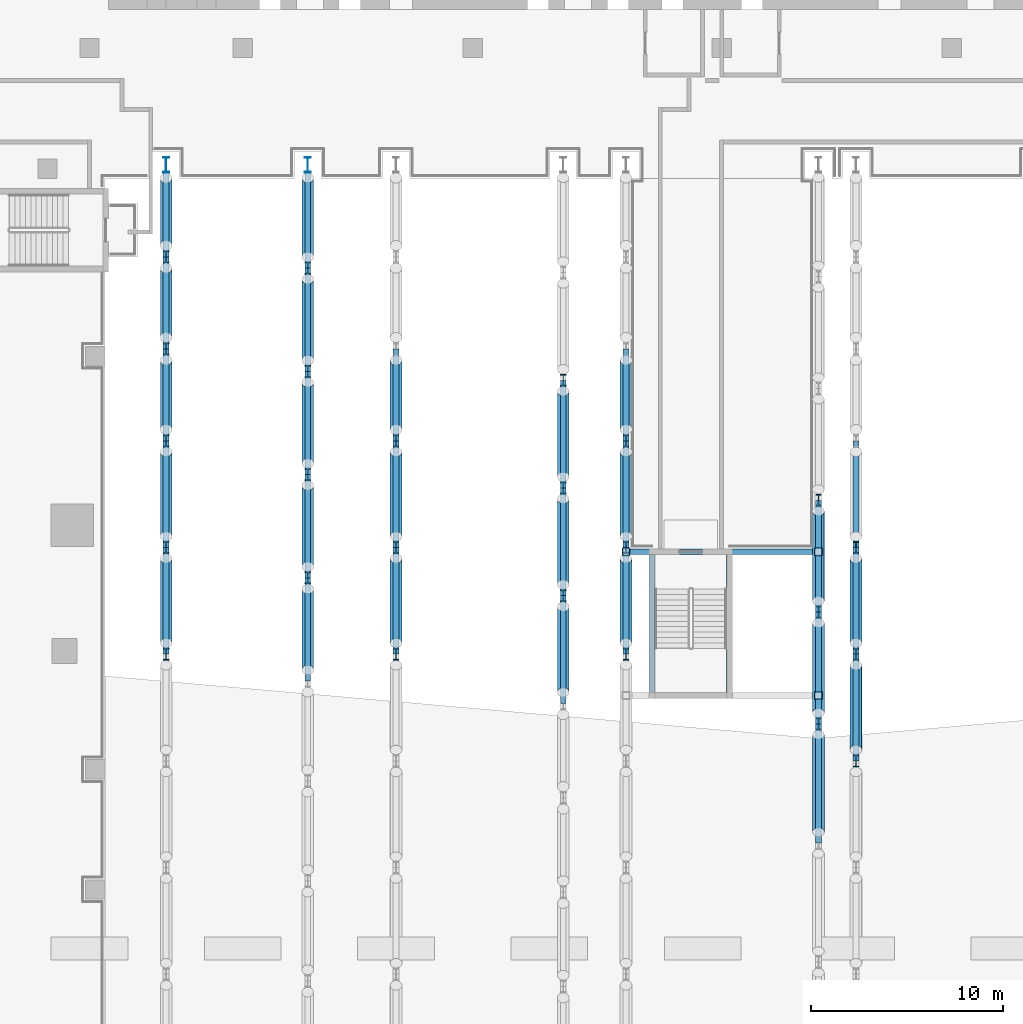
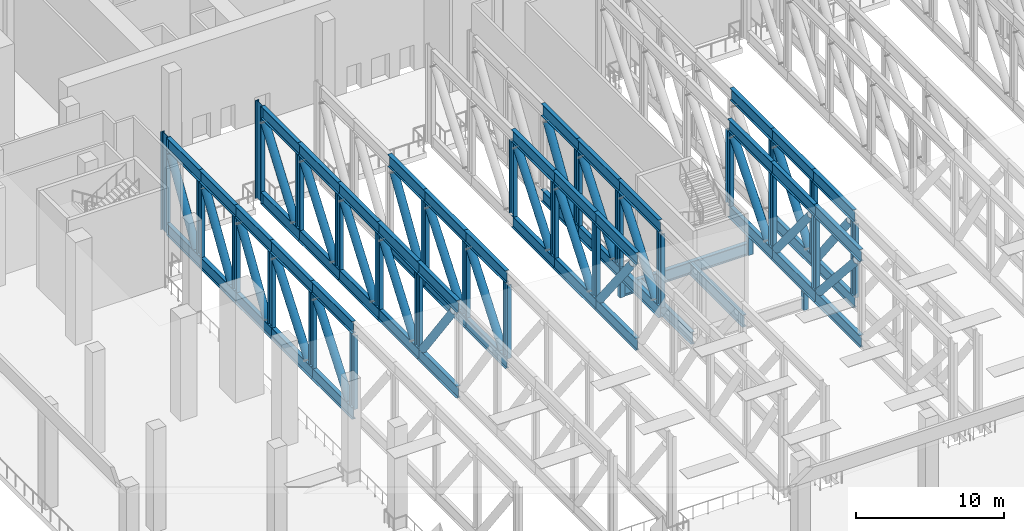
# One storey, part 3 of 33: 102 members, 3 beams.
"""IFC4 building model written with IfcOpenShell, lengths in metres."""

import ifcopenshell
import ifcopenshell.guid

model = None  # the IFC model being written
_history = None  # IfcOwnerHistory: only IFC2X3 demands one
_inside = {}  # id of a spatial element -> (the spatial element, [elements in it])
_under = {}  # id of a project, library or spatial element -> (it, [spatial elements below it])
_declared = {}  # id of a project -> (the project, [libraries it declares])
_typed = {}  # id of a type object -> (the type object, [elements of that type])
_made_of = {}  # id of a material, layer set ... -> (it, [elements and type objects made of it])


def new_model(schema):
    """Start an empty IFC model of exactly this schema.

    Asked for "IFC4X3", IfcOpenShell would pick the latest addendum, in which some entities
    have other attributes; the version numbers below select the first issue.
    IFC2X3 requires an IfcOwnerHistory on every rooted entity: one is made here for all.
    """
    global model, _history
    if schema == "IFC4X3":
        model = ifcopenshell.file(schema_version=(4, 3, 0, 0))
    else:
        model = ifcopenshell.file(schema=schema)
    _inside.clear()
    _under.clear()
    _declared.clear()
    _typed.clear()
    _made_of.clear()
    _history = None
    if model.schema == "IFC2X3":
        org = make("IfcOrganization", Name="unknown")
        user = make(
            "IfcPersonAndOrganization",
            ThePerson=make("IfcPerson", FamilyName="unknown"),
            TheOrganization=org,
        )
        app = make(
            "IfcApplication",
            ApplicationDeveloper=org,
            Version="unknown",
            ApplicationFullName="unknown",
            ApplicationIdentifier="unknown",
        )
        _history = make(
            "IfcOwnerHistory",
            OwningUser=user,
            OwningApplication=app,
            ChangeAction="ADDED",
            CreationDate=0,
        )
    return model


def make(cls, **values):
    """One entity of the class cls with the attributes given. An attribute that is None is left unset."""
    return model.create_entity(
        cls, **{name: value for name, value in values.items() if value is not None}
    )


def rooted(cls, **values):
    """An entity with a GlobalId (a new one), such as an element, a storey or a relation."""
    return make(cls, GlobalId=ifcopenshell.guid.new(), OwnerHistory=_history, **values)


def si_unit(unit_type, name, prefix=None):
    """IfcSIUnit, for example si_unit("LENGTHUNIT", "METRE", prefix="MILLI")."""
    return make("IfcSIUnit", UnitType=unit_type, Prefix=prefix, Name=name)


def assignment(units):
    """IfcUnitAssignment: the units of a project."""
    return None if units is None else make("IfcUnitAssignment", Units=units)


def point(xyz):
    """IfcCartesianPoint."""
    return None if xyz is None else make("IfcCartesianPoint", Coordinates=xyz)


def direction(xyz):
    """IfcDirection."""
    return None if xyz is None else make("IfcDirection", DirectionRatios=xyz)


def frame(location, z_axis=None, x_axis=None):
    """IfcAxis2Placement3D, a coordinate frame: its origin and axes. An axis left out is left unset."""
    return make(
        "IfcAxis2Placement3D",
        Location=point(location),
        Axis=direction(z_axis),
        RefDirection=direction(x_axis),
    )


def frame_2d(location, x_axis=None):
    """IfcAxis2Placement2D, a coordinate frame in the plane: its origin and x axis."""
    return make(
        "IfcAxis2Placement2D", Location=point(location), RefDirection=direction(x_axis)
    )


def origin():
    """The frame at (0, 0, 0) with its axes left unset."""
    return frame((0.0, 0.0, 0.0))


def origin_2d():
    """The frame at (0, 0) in the plane with its x axis left unset."""
    return frame_2d((0.0, 0.0))


def place(relative_to, where):
    """IfcLocalPlacement: puts the frame where relative to a parent placement (None: the world)."""
    return make(
        "IfcLocalPlacement", PlacementRelTo=relative_to, RelativePlacement=where
    )


def context(
    kind, dimensions, precision=None, world=None, true_north=None, identifier=None
):
    """IfcGeometricRepresentationContext, for example the 3D "Model" context."""
    return make(
        "IfcGeometricRepresentationContext",
        ContextIdentifier=identifier,
        ContextType=kind,
        CoordinateSpaceDimension=dimensions,
        Precision=precision,
        WorldCoordinateSystem=world,
        TrueNorth=true_north,
    )


def subcontext(parent, identifier, kind, view, scale=None):
    """IfcGeometricRepresentationSubContext, for example "Body" below "Model"."""
    return make(
        "IfcGeometricRepresentationSubContext",
        ContextIdentifier=identifier,
        ContextType=kind,
        ParentContext=parent,
        TargetScale=scale,
        TargetView=view,
    )


def project(units=None, contexts=None):
    """IfcProject with its units and contexts."""
    return rooted(
        "IfcProject",
        Name="project",
        RepresentationContexts=contexts,
        UnitsInContext=assignment(units),
    )


def spatial(cls, under=None, at=None, **own):
    """A site, building, storey or space (cls), placed at a placement, below another one or the project."""
    s = rooted(cls, ObjectPlacement=at, **own)
    if under is not None:
        _under.setdefault(under.id(), (under, []))[1].append(s)
    return s


def profile(cls, at=None, kind="AREA", **sizes):
    """A parametric profile (cls). Its sizes go by their IFC names, for example OverallWidth=200.0."""
    return make(cls, ProfileType=kind, Position=at, **sizes)


def hollow_rectangle(**sizes):
    """IfcRectangleHollowProfileDef."""
    return profile("IfcRectangleHollowProfileDef", **sizes)


def hollow_circle(**sizes):
    """IfcCircleHollowProfileDef."""
    return profile("IfcCircleHollowProfileDef", **sizes)


def i_section(**sizes):
    """IfcIShapeProfileDef."""
    return profile("IfcIShapeProfileDef", **sizes)


def extrude(swept, where, along, depth):
    """IfcExtrudedAreaSolid: the profile swept, set in the frame where, extruded along a direction by depth."""
    return make(
        "IfcExtrudedAreaSolid",
        SweptArea=swept,
        Position=where,
        ExtrudedDirection=direction(along),
        Depth=depth,
    )


def shape(context_of_items, identifier, shape_type, items):
    """IfcShapeRepresentation: the items that make up one representation, for example the "Body"."""
    return make(
        "IfcShapeRepresentation",
        ContextOfItems=context_of_items,
        RepresentationIdentifier=identifier,
        RepresentationType=shape_type,
        Items=items,
    )


def material(Name=None, Category=None):
    """IfcMaterial."""
    return make("IfcMaterial", Name=Name, Category=Category)


def material_profile(
    of_material, cross_section, Name=None, Category=None, Priority=None
):
    """IfcMaterialProfile: a cross section and its material."""
    return make(
        "IfcMaterialProfile",
        Name=Name,
        Material=of_material,
        Profile=cross_section,
        Priority=Priority,
        Category=Category,
    )


def profile_set(profiles, Name=None, composite=None):
    """IfcMaterialProfileSet."""
    return make(
        "IfcMaterialProfileSet",
        Name=Name,
        MaterialProfiles=profiles,
        CompositeProfile=composite,
    )


def made_of(thing, what):
    """Note that an element or type object is made of a material, layer set ...; save() writes the relation."""
    if what is not None:
        _made_of.setdefault(what.id(), (what, []))[1].append(thing)
    return thing


def type_object(cls, material=None, **own):
    """A type object (cls), such as IfcWallType, which elements share."""
    return made_of(rooted(cls, **own), material)


def element(
    cls,
    number,
    at=None,
    inside=None,
    cuts=None,
    type_object=None,
    material=None,
    context=None,
    identifier="Body",
    shape_type=None,
    held_by="IfcProductDefinitionShape",
    body=None,
    shapes=None,
    **own,
):
    """One element of the class cls, such as IfcWall. Its Tag is "e" and its number.

    at: its placement. inside: the storey or other place that contains it. cuts: it is an
    opening in that element (IfcRelVoidsElement). A single representation is given by context,
    identifier, shape_type and body (its items); several are given by shapes. held_by: the class
    of the entity that holds the representations. save() writes the other relations.
    """
    e = rooted(cls, Tag="e%d" % number, ObjectPlacement=at, **own)
    if body is not None:
        shapes = [shape(context, identifier, shape_type, body)]
    if shapes is not None:
        e.Representation = make(held_by, Representations=shapes)
    if inside is not None:
        _inside.setdefault(inside.id(), (inside, []))[1].append(e)
    if cuts is not None:
        rooted(
            "IfcRelVoidsElement", RelatingBuildingElement=cuts, RelatedOpeningElement=e
        )
    if type_object is not None:
        _typed.setdefault(type_object.id(), (type_object, []))[1].append(e)
    return made_of(e, material)


def aggregate(whole, parts):
    """IfcRelAggregates: a whole, such as a stair, and the parts it consists of."""
    return rooted("IfcRelAggregates", RelatingObject=whole, RelatedObjects=parts)


def save(model, path):
    """Write the relations noted so far, then the file.

    IfcRelAggregates (storeys below a building ...), IfcRelContainedInSpatialStructure (elements
    in a storey), IfcRelDefinesByType, IfcRelAssociatesMaterial and IfcRelDeclares: one each for
    every whole, place, type object, material and project.
    """
    for whole, parts in _under.values():
        aggregate(whole, parts)
    for where, things in _inside.values():
        rooted(
            "IfcRelContainedInSpatialStructure",
            RelatedElements=things,
            RelatingStructure=where,
        )
    for kind, things in _typed.values():
        rooted("IfcRelDefinesByType", RelatedObjects=things, RelatingType=kind)
    for what, things in _made_of.values():
        rooted("IfcRelAssociatesMaterial", RelatedObjects=things, RelatingMaterial=what)
    for by, libraries in _declared.values():
        rooted("IfcRelDeclares", RelatingContext=by, RelatedDefinitions=libraries)
    model.write(path)


model = new_model("IFC4")

# Units and contexts
model_context = context("Model", 3, precision=1e-05, world=origin(), true_north=direction((0.0, 1.0)))
body_context = subcontext(model_context, "Body", "Model", "MODEL_VIEW")
ifc_project = project(units=[si_unit("LENGTHUNIT", "METRE"), si_unit("AREAUNIT", "SQUARE_METRE"), si_unit("VOLUMEUNIT", "CUBIC_METRE"), si_unit("PLANEANGLEUNIT", "RADIAN"), si_unit("MASSUNIT", "GRAM", prefix="KILO")], contexts=[model_context])

# Site, building, storey
site_placement = place(None, origin())
site = spatial("IfcSite", under=ifc_project, at=site_placement, CompositionType="ELEMENT")
building_placement = place(site_placement, origin())
building = spatial("IfcBuilding", under=site, at=building_placement, Name="Wharfspan Tower", CompositionType="ELEMENT")
storey_placement = place(building_placement, frame((0.0, 0.0, 33.0)))
storey = spatial("IfcBuildingStorey", under=building, at=storey_placement, Name="L05", CompositionType="ELEMENT", Elevation=33.0)

# Beams
ifc_material_1 = material(Name="Steel S460M", Category="steel")
ifc_material_profile_1 = material_profile(ifc_material_1, i_section(OverallWidth=0.302002, OverallDepth=1.008057, WebThickness=0.020996, FlangeThickness=0.040039, FilletRadius=0.030029, at=origin_2d()))
ifc_profile_set_1 = profile_set([ifc_material_profile_1], Name="Steel S460M")
beam_type = type_object("IfcBeamType", Name="Transfer girder HE 1000 M", PredefinedType="BEAM", material=ifc_profile_set_1)
beam_placement = place(storey_placement, frame((36.199951, 5.710693, -0.954102), z_axis=(1.0, 0.0, 0.0), x_axis=(0.0, 1.0, 0.0)))
element("IfcBeam", 1, at=beam_placement, inside=storey, type_object=beam_type, Name="Transfer girder", PredefinedType="BEAM", context=body_context, shape_type="SweptSolid", body=[
    extrude(i_section(OverallWidth=0.302002, OverallDepth=1.008057, WebThickness=0.020996, FlangeThickness=0.040039, FilletRadius=0.030029, at=origin_2d()), origin(), (0.0, 0.0, 1.0), 9.64209),
])
for number, where, z_axis, x_axis, name in (
    (2, (37.358398, -1.638428, -0.954102), (0.0, 1.0, 0.0), (-1.0, 0.0, 0.0), "Transfer girder"),
    (3, (41.408203, -1.638428, -0.954102), (0.0, 1.0, 0.0), (-1.0, 0.0, 0.0), "Transfer girder"),
):
    element("IfcBeam", number, at=place(storey_placement, frame(where, z_axis=z_axis, x_axis=x_axis)), inside=storey, type_object=beam_type, Name=name, PredefinedType="BEAM", context=body_context, shape_type="SweptSolid", body=[
        extrude(i_section(OverallWidth=0.302002, OverallDepth=1.008057, WebThickness=0.020996, FlangeThickness=0.040039, FilletRadius=0.030029, at=origin_2d()), origin(), (0.0, 0.0, 1.0), 7.197998),
    ])

# Members
ifc_material_2 = material(Name="Steel S460NH", Category="steel")
ifc_material_profile_2 = material_profile(ifc_material_2, hollow_rectangle(XDim=0.399902, YDim=0.399902, WallThickness=0.02002, InnerFilletRadius=0.02002, OuterFilletRadius=0.040039, at=origin_2d()))
ifc_profile_set_2 = profile_set([ifc_material_profile_2], Name="Steel S460NH")
member_type_1 = type_object("IfcMemberType", Name="Transfer hanger SHS 400x400x20", PredefinedType="POST", material=ifc_profile_set_2)
for number, where, z_axis, x_axis, name in (
    (4, (46.041992, -1.789307, -1.458008), (0.0, 0.0, 1.0), (1.0, 0.0, 0.0), "Transfer hanger"),
    (5, (36.0, 5.710693, -1.458008), (0.0, 0.0, 1.0), (1.0, 0.0, 0.0), "Transfer hanger"),
    (6, (46.041992, 5.710693, -1.458008), (0.0, 0.0, 1.0), (1.0, 0.0, 0.0), "Transfer hanger"),
):
    element("IfcMember", number, at=place(storey_placement, frame(where, z_axis=z_axis, x_axis=x_axis)), inside=storey, type_object=member_type_1, Name=name, PredefinedType="POST", context=body_context, shape_type="SweptSolid", body=[
        extrude(hollow_rectangle(XDim=0.399902, YDim=0.399902, WallThickness=0.02002, InnerFilletRadius=0.02002, OuterFilletRadius=0.040039, at=origin_2d()), origin(), (0.0, 0.0, 1.0), 1.458008),
    ])
ifc_material_profile_3 = material_profile(ifc_material_2, hollow_circle(Radius=0.304932, WallThickness=0.030029, at=origin_2d()))
ifc_profile_set_3 = profile_set([ifc_material_profile_3], Name="Steel S460NH")
member_type_2 = type_object("IfcMemberType", Name="Truss member CHS 610x30", PredefinedType="BRACE", material=ifc_profile_set_3)
member_1_placement = place(storey_placement, frame((12.0, 5.355225, 6.912598), z_axis=(0.0, -0.610274, -0.792191), x_axis=(1.0, 0.0, 0.0)))
element("IfcMember", 7, at=member_1_placement, inside=storey, type_object=member_type_2, Name="Truss diagonal T1", PredefinedType="BRACE", context=body_context, shape_type="SweptSolid", body=[
    extrude(hollow_circle(Radius=0.304932, WallThickness=0.030029, at=origin_2d()), origin(), (0.0, 0.0, 1.0), 7.226807),
])
member_2_placement = place(storey_placement, frame((12.0, 10.922119, 6.912598), z_axis=(0.0, -0.610359, -0.792125), x_axis=(1.0, 0.0, 0.0)))
element("IfcMember", 8, at=member_2_placement, inside=storey, type_object=member_type_2, Name="Truss diagonal T1", PredefinedType="BRACE", context=body_context, shape_type="SweptSolid", body=[
    extrude(hollow_circle(Radius=0.304932, WallThickness=0.030029, at=origin_2d()), origin(), (0.0, 0.0, 1.0), 7.227539),
])
for number, where, z_axis, x_axis, name in (
    (9, (12.0, 15.70752, 6.935791), (0.0, -0.530824, -0.847482), (1.0, 0.0, 0.0), "Truss diagonal T1"),
    (10, (12.0, 20.507568, 6.935791), (0.0, -0.530824, -0.847482), (1.0, 0.0, 0.0), "Truss diagonal T1"),
):
    element("IfcMember", number, at=place(storey_placement, frame(where, z_axis=z_axis, x_axis=x_axis)), inside=storey, type_object=member_type_2, Name=name, PredefinedType="BRACE", context=body_context, shape_type="SweptSolid", body=[
        extrude(hollow_circle(Radius=0.304932, WallThickness=0.030029, at=origin_2d()), origin(), (0.0, 0.0, 1.0), 6.810059),
    ])
member_3_placement = place(storey_placement, frame((12.0, 25.208496, 6.938965), z_axis=(0.0, -0.519631, -0.854391), x_axis=(1.0, 0.0, 0.0)))
element("IfcMember", 11, at=member_3_placement, inside=storey, type_object=member_type_2, Name="Truss diagonal T1", PredefinedType="BRACE", context=body_context, shape_type="SweptSolid", body=[
    extrude(hollow_circle(Radius=0.304932, WallThickness=0.030029, at=origin_2d()), origin(), (0.0, 0.0, 1.0), 6.762695),
])
member_4_placement = place(storey_placement, frame((19.391113, -0.452881, 6.917725), z_axis=(0.0, 0.593068, -0.805152), x_axis=(-1.0, 0.0, 0.0)))
element("IfcMember", 12, at=member_4_placement, inside=storey, type_object=member_type_2, Name="Truss diagonal T2", PredefinedType="BRACE", context=body_context, shape_type="SweptSolid", body=[
    extrude(hollow_circle(Radius=0.304932, WallThickness=0.030029, at=origin_2d()), origin(), (0.0, 0.0, 1.0), 7.123291),
])
member_5_placement = place(storey_placement, frame((19.391113, 9.158691, 6.917725), z_axis=(0.0, -0.593046, -0.805169), x_axis=(1.0, 0.0, 0.0)))
element("IfcMember", 13, at=member_5_placement, inside=storey, type_object=member_type_2, Name="Truss diagonal T2", PredefinedType="BRACE", context=body_context, shape_type="SweptSolid", body=[
    extrude(hollow_circle(Radius=0.304932, WallThickness=0.030029, at=origin_2d()), origin(), (0.0, 0.0, 1.0), 7.123047),
])
member_6_placement = place(storey_placement, frame((19.391113, 14.544678, 6.917725), z_axis=(0.0, -0.592957, -0.805234), x_axis=(1.0, 0.0, 0.0)))
element("IfcMember", 14, at=member_6_placement, inside=storey, type_object=member_type_2, Name="Truss diagonal T2", PredefinedType="BRACE", context=body_context, shape_type="SweptSolid", body=[
    extrude(hollow_circle(Radius=0.304932, WallThickness=0.030029, at=origin_2d()), origin(), (0.0, 0.0, 1.0), 7.122559),
])
member_7_placement = place(storey_placement, frame((19.391113, 19.931885, 6.917725), z_axis=(0.0, -0.593068, -0.805152), x_axis=(1.0, 0.0, 0.0)))
element("IfcMember", 15, at=member_7_placement, inside=storey, type_object=member_type_2, Name="Truss diagonal T2", PredefinedType="BRACE", context=body_context, shape_type="SweptSolid", body=[
    extrude(hollow_circle(Radius=0.304932, WallThickness=0.030029, at=origin_2d()), origin(), (0.0, 0.0, 1.0), 7.123291),
])
member_8_placement = place(storey_placement, frame((19.391113, 25.219971, 6.92041), z_axis=(0.0, -0.583399, -0.812186), x_axis=(1.0, 0.0, 0.0)))
element("IfcMember", 16, at=member_8_placement, inside=storey, type_object=member_type_2, Name="Truss diagonal T2", PredefinedType="BRACE", context=body_context, shape_type="SweptSolid", body=[
    extrude(hollow_circle(Radius=0.304932, WallThickness=0.030029, at=origin_2d()), origin(), (0.0, 0.0, 1.0), 7.068604),
])
member_9_placement = place(storey_placement, frame((24.0, 5.355225, 6.912598), z_axis=(0.0, -0.610274, -0.792191), x_axis=(1.0, 0.0, 0.0)))
element("IfcMember", 17, at=member_9_placement, inside=storey, type_object=member_type_2, Name="Truss diagonal T3", PredefinedType="BRACE", context=body_context, shape_type="SweptSolid", body=[
    extrude(hollow_circle(Radius=0.304932, WallThickness=0.030029, at=origin_2d()), origin(), (0.0, 0.0, 1.0), 7.226807),
])
member_10_placement = place(storey_placement, frame((24.0, 10.922119, 6.912598), z_axis=(0.0, -0.610359, -0.792125), x_axis=(1.0, 0.0, 0.0)))
element("IfcMember", 18, at=member_10_placement, inside=storey, type_object=member_type_2, Name="Truss diagonal T3", PredefinedType="BRACE", context=body_context, shape_type="SweptSolid", body=[
    extrude(hollow_circle(Radius=0.304932, WallThickness=0.030029, at=origin_2d()), origin(), (0.0, 0.0, 1.0), 7.227539),
])
member_11_placement = place(storey_placement, frame((24.0, 15.70752, 6.935791), z_axis=(0.0, -0.530824, -0.847482), x_axis=(1.0, 0.0, 0.0)))
element("IfcMember", 19, at=member_11_placement, inside=storey, type_object=member_type_2, Name="Truss diagonal T3", PredefinedType="BRACE", context=body_context, shape_type="SweptSolid", body=[
    extrude(hollow_circle(Radius=0.304932, WallThickness=0.030029, at=origin_2d()), origin(), (0.0, 0.0, 1.0), 6.810059),
])
member_12_placement = place(storey_placement, frame((32.724121, -1.623291, 6.911133), z_axis=(0.0, 0.615311, -0.788284), x_axis=(-1.0, 0.0, 0.0)))
element("IfcMember", 20, at=member_12_placement, inside=storey, type_object=member_type_2, Name="Truss diagonal T4", PredefinedType="BRACE", context=body_context, shape_type="SweptSolid", body=[
    extrude(hollow_circle(Radius=0.304932, WallThickness=0.030029, at=origin_2d()), origin(), (0.0, 0.0, 1.0), 7.259033),
])
member_13_placement = place(storey_placement, frame((32.724121, 8.463135, 6.911133), z_axis=(0.0, -0.61529, -0.788301), x_axis=(1.0, 0.0, 0.0)))
element("IfcMember", 21, at=member_13_placement, inside=storey, type_object=member_type_2, Name="Truss diagonal T4", PredefinedType="BRACE", context=body_context, shape_type="SweptSolid", body=[
    extrude(hollow_circle(Radius=0.304932, WallThickness=0.030029, at=origin_2d()), origin(), (0.0, 0.0, 1.0), 7.258789),
])
member_14_placement = place(storey_placement, frame((32.724121, 14.083252, 6.911133), z_axis=(0.0, -0.615311, -0.788284), x_axis=(1.0, 0.0, 0.0)))
element("IfcMember", 22, at=member_14_placement, inside=storey, type_object=member_type_2, Name="Truss diagonal T4", PredefinedType="BRACE", context=body_context, shape_type="SweptSolid", body=[
    extrude(hollow_circle(Radius=0.304932, WallThickness=0.030029, at=origin_2d()), origin(), (0.0, 0.0, 1.0), 7.259033),
])
member_15_placement = place(storey_placement, frame((36.0, 5.355225, 6.912598), z_axis=(0.0, -0.610274, -0.792191), x_axis=(1.0, 0.0, 0.0)))
element("IfcMember", 23, at=member_15_placement, inside=storey, type_object=member_type_2, Name="Truss diagonal T5", PredefinedType="BRACE", context=body_context, shape_type="SweptSolid", body=[
    extrude(hollow_circle(Radius=0.304932, WallThickness=0.030029, at=origin_2d()), origin(), (0.0, 0.0, 1.0), 7.226807),
])
member_16_placement = place(storey_placement, frame((36.0, 10.922119, 6.912598), z_axis=(0.0, -0.610359, -0.792125), x_axis=(1.0, 0.0, 0.0)))
element("IfcMember", 24, at=member_16_placement, inside=storey, type_object=member_type_2, Name="Truss diagonal T5", PredefinedType="BRACE", context=body_context, shape_type="SweptSolid", body=[
    extrude(hollow_circle(Radius=0.304932, WallThickness=0.030029, at=origin_2d()), origin(), (0.0, 0.0, 1.0), 7.227539),
])
member_17_placement = place(storey_placement, frame((36.0, 15.70752, 6.935791), z_axis=(0.0, -0.530824, -0.847482), x_axis=(1.0, 0.0, 0.0)))
element("IfcMember", 25, at=member_17_placement, inside=storey, type_object=member_type_2, Name="Truss diagonal T5", PredefinedType="BRACE", context=body_context, shape_type="SweptSolid", body=[
    extrude(hollow_circle(Radius=0.304932, WallThickness=0.030029, at=origin_2d()), origin(), (0.0, 0.0, 1.0), 6.810059),
])
member_18_placement = place(storey_placement, frame((46.041992, -8.91333, 6.89624), z_axis=(0.0, 0.665805, -0.746126), x_axis=(-1.0, 0.0, 0.0)))
element("IfcMember", 26, at=member_18_placement, inside=storey, type_object=member_type_2, Name="Truss diagonal T6", PredefinedType="BRACE", context=body_context, shape_type="SweptSolid", body=[
    extrude(hollow_circle(Radius=0.304932, WallThickness=0.030029, at=origin_2d()), origin(), (0.0, 0.0, 1.0), 7.62915),
])
member_19_placement = place(storey_placement, frame((46.041992, -2.695312, 6.905518), z_axis=(0.0, 0.634525, -0.772902), x_axis=(-1.0, 0.0, 0.0)))
element("IfcMember", 27, at=member_19_placement, inside=storey, type_object=member_type_2, Name="Truss diagonal T6", PredefinedType="BRACE", context=body_context, shape_type="SweptSolid", body=[
    extrude(hollow_circle(Radius=0.304932, WallThickness=0.030029, at=origin_2d()), origin(), (0.0, 0.0, 1.0), 7.388916),
])
member_20_placement = place(storey_placement, frame((46.041992, 7.826172, 6.905518), z_axis=(0.0, -0.634446, -0.772967), x_axis=(1.0, 0.0, 0.0)))
element("IfcMember", 28, at=member_20_placement, inside=storey, type_object=member_type_2, Name="Truss diagonal T6", PredefinedType="BRACE", context=body_context, shape_type="SweptSolid", body=[
    extrude(hollow_circle(Radius=0.304932, WallThickness=0.030029, at=origin_2d()), origin(), (0.0, 0.0, 1.0), 7.388428),
])
member_21_placement = place(storey_placement, frame((48.0, -4.622314, 6.912598), z_axis=(0.0, 0.61038, -0.792109), x_axis=(-1.0, 0.0, 0.0)))
element("IfcMember", 29, at=member_21_placement, inside=storey, type_object=member_type_2, Name="Truss diagonal T7", PredefinedType="BRACE", context=body_context, shape_type="SweptSolid", body=[
    extrude(hollow_circle(Radius=0.304932, WallThickness=0.030029, at=origin_2d()), origin(), (0.0, 0.0, 1.0), 7.227783),
])
member_22_placement = place(storey_placement, frame((48.0, 5.355225, 6.912598), z_axis=(0.0, -0.610274, -0.792191), x_axis=(1.0, 0.0, 0.0)))
element("IfcMember", 30, at=member_22_placement, inside=storey, type_object=member_type_2, Name="Truss diagonal T7", PredefinedType="BRACE", context=body_context, shape_type="SweptSolid", body=[
    extrude(hollow_circle(Radius=0.304932, WallThickness=0.030029, at=origin_2d()), origin(), (0.0, 0.0, 1.0), 7.226807),
])
ifc_material_profile_4 = material_profile(ifc_material_1, i_section(OverallWidth=0.302002, OverallDepth=1.008057, WebThickness=0.020996, FlangeThickness=0.040039, FilletRadius=0.030029, at=origin_2d()))
ifc_profile_set_4 = profile_set([ifc_material_profile_4], Name="Steel S460M")
member_type_3 = type_object("IfcMemberType", Name="Truss member HE 1000 M", PredefinedType="CHORD", material=ifc_profile_set_4)
for number, where, z_axis, x_axis, name in (
    (31, (12.0, 0.366943, 7.595947), (0.0, 1.0, 0.0), (-1.0, 0.0, 0.0), "Top chord T1"),
    (32, (12.0, 0.366943, 0.503906), (0.0, 1.0, 0.0), (-1.0, 0.0, 0.0), "Bottom chord T1"),
):
    element("IfcMember", number, at=place(storey_placement, frame(where, z_axis=z_axis, x_axis=x_axis)), inside=storey, type_object=member_type_3, Name=name, PredefinedType="CHORD", context=body_context, shape_type="SweptSolid", body=[
        extrude(i_section(OverallWidth=0.302002, OverallDepth=1.008057, WebThickness=0.020996, FlangeThickness=0.040039, FilletRadius=0.030029, at=origin_2d()), origin(), (0.0, 0.0, 1.0), 5.566162),
    ])
for number, where, z_axis, x_axis, name in (
    (33, (12.0, 5.933105, 7.595947), (0.0, 1.0, 0.0), (-1.0, 0.0, 0.0), "Top chord T1"),
    (34, (12.0, 5.933105, 0.503906), (0.0, 1.0, 0.0), (-1.0, 0.0, 0.0), "Bottom chord T1"),
):
    element("IfcMember", number, at=place(storey_placement, frame(where, z_axis=z_axis, x_axis=x_axis)), inside=storey, type_object=member_type_3, Name=name, PredefinedType="CHORD", context=body_context, shape_type="SweptSolid", body=[
        extrude(i_section(OverallWidth=0.302002, OverallDepth=1.008057, WebThickness=0.020996, FlangeThickness=0.040039, FilletRadius=0.030029, at=origin_2d()), origin(), (0.0, 0.0, 1.0), 5.566895),
    ])
for number, where, z_axis, x_axis, name in (
    (35, (12.0, 11.5, 7.595947), (0.0, 1.0, 0.0), (-1.0, 0.0, 0.0), "Top chord T1"),
    (36, (12.0, 11.5, 0.503906), (0.0, 1.0, 0.0), (-1.0, 0.0, 0.0), "Bottom chord T1"),
    (37, (12.0, 16.300049, 7.595947), (0.0, 1.0, 0.0), (-1.0, 0.0, 0.0), "Top chord T1"),
    (38, (12.0, 16.300049, 0.503906), (0.0, 1.0, 0.0), (-1.0, 0.0, 0.0), "Bottom chord T1"),
):
    element("IfcMember", number, at=place(storey_placement, frame(where, z_axis=z_axis, x_axis=x_axis)), inside=storey, type_object=member_type_3, Name=name, PredefinedType="CHORD", context=body_context, shape_type="SweptSolid", body=[
        extrude(i_section(OverallWidth=0.302002, OverallDepth=1.008057, WebThickness=0.020996, FlangeThickness=0.040039, FilletRadius=0.030029, at=origin_2d()), origin(), (0.0, 0.0, 1.0), 4.800049),
    ])
for number, where, z_axis, x_axis, name in (
    (39, (12.0, 21.100098, 7.595947), (0.0, 1.0, 0.0), (-1.0, 0.0, 0.0), "Top chord T1"),
    (40, (12.0, 21.100098, 0.503906), (0.0, 1.0, 0.0), (-1.0, 0.0, 0.0), "Bottom chord T1"),
):
    element("IfcMember", number, at=place(storey_placement, frame(where, z_axis=z_axis, x_axis=x_axis)), inside=storey, type_object=member_type_3, Name=name, PredefinedType="CHORD", context=body_context, shape_type="SweptSolid", body=[
        extrude(i_section(OverallWidth=0.302002, OverallDepth=1.008057, WebThickness=0.020996, FlangeThickness=0.040039, FilletRadius=0.030029, at=origin_2d()), origin(), (0.0, 0.0, 1.0), 4.392822),
    ])
for number, where, z_axis, x_axis, name in (
    (41, (19.391113, -1.033936, 7.595947), (0.0, 1.0, 0.0), (-1.0, 0.0, 0.0), "Top chord T2"),
    (42, (19.391113, -1.033936, 0.503906), (0.0, 1.0, 0.0), (-1.0, 0.0, 0.0), "Bottom chord T2"),
    (43, (19.391113, 4.353027, 7.595947), (0.0, 1.0, 0.0), (-1.0, 0.0, 0.0), "Top chord T2"),
    (44, (19.391113, 4.353027, 0.503906), (0.0, 1.0, 0.0), (-1.0, 0.0, 0.0), "Bottom chord T2"),
):
    element("IfcMember", number, at=place(storey_placement, frame(where, z_axis=z_axis, x_axis=x_axis)), inside=storey, type_object=member_type_3, Name=name, PredefinedType="CHORD", context=body_context, shape_type="SweptSolid", body=[
        extrude(i_section(OverallWidth=0.302002, OverallDepth=1.008057, WebThickness=0.020996, FlangeThickness=0.040039, FilletRadius=0.030029, at=origin_2d()), origin(), (0.0, 0.0, 1.0), 5.386963),
    ])
for number, where, z_axis, x_axis, name in (
    (45, (19.391113, 9.73999, 7.595947), (0.0, 1.0, 0.0), (-1.0, 0.0, 0.0), "Top chord T2"),
    (46, (19.391113, 9.73999, 0.503906), (0.0, 1.0, 0.0), (-1.0, 0.0, 0.0), "Bottom chord T2"),
):
    element("IfcMember", number, at=place(storey_placement, frame(where, z_axis=z_axis, x_axis=x_axis)), inside=storey, type_object=member_type_3, Name=name, PredefinedType="CHORD", context=body_context, shape_type="SweptSolid", body=[
        extrude(i_section(OverallWidth=0.302002, OverallDepth=1.008057, WebThickness=0.020996, FlangeThickness=0.040039, FilletRadius=0.030029, at=origin_2d()), origin(), (0.0, 0.0, 1.0), 5.385986),
    ])
for number, where, z_axis, x_axis, name in (
    (47, (19.391113, 15.125977, 7.595947), (0.0, 1.0, 0.0), (-1.0, 0.0, 0.0), "Top chord T2"),
    (48, (19.391113, 15.125977, 0.503906), (0.0, 1.0, 0.0), (-1.0, 0.0, 0.0), "Bottom chord T2"),
):
    element("IfcMember", number, at=place(storey_placement, frame(where, z_axis=z_axis, x_axis=x_axis)), inside=storey, type_object=member_type_3, Name=name, PredefinedType="CHORD", context=body_context, shape_type="SweptSolid", body=[
        extrude(i_section(OverallWidth=0.302002, OverallDepth=1.008057, WebThickness=0.020996, FlangeThickness=0.040039, FilletRadius=0.030029, at=origin_2d()), origin(), (0.0, 0.0, 1.0), 5.386963),
    ])
for number, where, z_axis, x_axis, name in (
    (49, (19.391113, 20.512939, 7.595947), (0.0, 1.0, 0.0), (-1.0, 0.0, 0.0), "Top chord T2"),
    (50, (19.391113, 20.512939, 0.503906), (0.0, 1.0, 0.0), (-1.0, 0.0, 0.0), "Bottom chord T2"),
):
    element("IfcMember", number, at=place(storey_placement, frame(where, z_axis=z_axis, x_axis=x_axis)), inside=storey, type_object=member_type_3, Name=name, PredefinedType="CHORD", context=body_context, shape_type="SweptSolid", body=[
        extrude(i_section(OverallWidth=0.302002, OverallDepth=1.008057, WebThickness=0.020996, FlangeThickness=0.040039, FilletRadius=0.030029, at=origin_2d()), origin(), (0.0, 0.0, 1.0), 4.97998),
    ])
for number, where, z_axis, x_axis, name in (
    (51, (24.0, 0.366943, 7.595947), (0.0, 1.0, 0.0), (-1.0, 0.0, 0.0), "Top chord T3"),
    (52, (24.0, 0.366943, 0.503906), (0.0, 1.0, 0.0), (-1.0, 0.0, 0.0), "Bottom chord T3"),
):
    element("IfcMember", number, at=place(storey_placement, frame(where, z_axis=z_axis, x_axis=x_axis)), inside=storey, type_object=member_type_3, Name=name, PredefinedType="CHORD", context=body_context, shape_type="SweptSolid", body=[
        extrude(i_section(OverallWidth=0.302002, OverallDepth=1.008057, WebThickness=0.020996, FlangeThickness=0.040039, FilletRadius=0.030029, at=origin_2d()), origin(), (0.0, 0.0, 1.0), 5.566162),
    ])
for number, where, z_axis, x_axis, name in (
    (53, (24.0, 5.933105, 7.595947), (0.0, 1.0, 0.0), (-1.0, 0.0, 0.0), "Top chord T3"),
    (54, (24.0, 5.933105, 0.503906), (0.0, 1.0, 0.0), (-1.0, 0.0, 0.0), "Bottom chord T3"),
):
    element("IfcMember", number, at=place(storey_placement, frame(where, z_axis=z_axis, x_axis=x_axis)), inside=storey, type_object=member_type_3, Name=name, PredefinedType="CHORD", context=body_context, shape_type="SweptSolid", body=[
        extrude(i_section(OverallWidth=0.302002, OverallDepth=1.008057, WebThickness=0.020996, FlangeThickness=0.040039, FilletRadius=0.030029, at=origin_2d()), origin(), (0.0, 0.0, 1.0), 5.566895),
    ])
for number, where, z_axis, x_axis, name in (
    (55, (24.0, 11.5, 7.595947), (0.0, 1.0, 0.0), (-1.0, 0.0, 0.0), "Top chord T3"),
    (56, (24.0, 11.5, 0.503906), (0.0, 1.0, 0.0), (-1.0, 0.0, 0.0), "Bottom chord T3"),
):
    element("IfcMember", number, at=place(storey_placement, frame(where, z_axis=z_axis, x_axis=x_axis)), inside=storey, type_object=member_type_3, Name=name, PredefinedType="CHORD", context=body_context, shape_type="SweptSolid", body=[
        extrude(i_section(OverallWidth=0.302002, OverallDepth=1.008057, WebThickness=0.020996, FlangeThickness=0.040039, FilletRadius=0.030029, at=origin_2d()), origin(), (0.0, 0.0, 1.0), 4.800049),
    ])
for number, where, z_axis, x_axis, name in (
    (57, (32.724121, -2.199951, 7.595947), (0.0, 1.0, 0.0), (-1.0, 0.0, 0.0), "Top chord T4"),
    (58, (32.724121, -2.199951, 0.503906), (0.0, 1.0, 0.0), (-1.0, 0.0, 0.0), "Bottom chord T4"),
):
    element("IfcMember", number, at=place(storey_placement, frame(where, z_axis=z_axis, x_axis=x_axis)), inside=storey, type_object=member_type_3, Name=name, PredefinedType="CHORD", context=body_context, shape_type="SweptSolid", body=[
        extrude(i_section(OverallWidth=0.302002, OverallDepth=1.008057, WebThickness=0.020996, FlangeThickness=0.040039, FilletRadius=0.030029, at=origin_2d()), origin(), (0.0, 0.0, 1.0), 5.619873),
    ])
for number, where, z_axis, x_axis, name in (
    (59, (32.724121, 3.419922, 7.595947), (0.0, 1.0, 0.0), (-1.0, 0.0, 0.0), "Top chord T4"),
    (60, (32.724121, 3.419922, 0.503906), (0.0, 1.0, 0.0), (-1.0, 0.0, 0.0), "Bottom chord T4"),
):
    element("IfcMember", number, at=place(storey_placement, frame(where, z_axis=z_axis, x_axis=x_axis)), inside=storey, type_object=member_type_3, Name=name, PredefinedType="CHORD", context=body_context, shape_type="SweptSolid", body=[
        extrude(i_section(OverallWidth=0.302002, OverallDepth=1.008057, WebThickness=0.020996, FlangeThickness=0.040039, FilletRadius=0.030029, at=origin_2d()), origin(), (0.0, 0.0, 1.0), 5.620117),
    ])
for number, where, z_axis, x_axis, name in (
    (61, (32.724121, 9.040039, 7.595947), (0.0, 1.0, 0.0), (-1.0, 0.0, 0.0), "Top chord T4"),
    (62, (32.724121, 9.040039, 0.503906), (0.0, 1.0, 0.0), (-1.0, 0.0, 0.0), "Bottom chord T4"),
):
    element("IfcMember", number, at=place(storey_placement, frame(where, z_axis=z_axis, x_axis=x_axis)), inside=storey, type_object=member_type_3, Name=name, PredefinedType="CHORD", context=body_context, shape_type="SweptSolid", body=[
        extrude(i_section(OverallWidth=0.302002, OverallDepth=1.008057, WebThickness=0.020996, FlangeThickness=0.040039, FilletRadius=0.030029, at=origin_2d()), origin(), (0.0, 0.0, 1.0), 5.619873),
    ])
for number, where, z_axis, x_axis, name in (
    (63, (36.0, 0.366943, 7.595947), (0.0, 1.0, 0.0), (-1.0, 0.0, 0.0), "Top chord T5"),
    (64, (36.0, 0.366943, 0.503906), (0.0, 1.0, 0.0), (-1.0, 0.0, 0.0), "Bottom chord T5"),
):
    element("IfcMember", number, at=place(storey_placement, frame(where, z_axis=z_axis, x_axis=x_axis)), inside=storey, type_object=member_type_3, Name=name, PredefinedType="CHORD", context=body_context, shape_type="SweptSolid", body=[
        extrude(i_section(OverallWidth=0.302002, OverallDepth=1.008057, WebThickness=0.020996, FlangeThickness=0.040039, FilletRadius=0.030029, at=origin_2d()), origin(), (0.0, 0.0, 1.0), 5.566162),
    ])
for number, where, z_axis, x_axis, name in (
    (65, (36.0, 5.933105, 7.595947), (0.0, 1.0, 0.0), (-1.0, 0.0, 0.0), "Top chord T5"),
    (66, (36.0, 5.933105, 0.503906), (0.0, 1.0, 0.0), (-1.0, 0.0, 0.0), "Bottom chord T5"),
):
    element("IfcMember", number, at=place(storey_placement, frame(where, z_axis=z_axis, x_axis=x_axis)), inside=storey, type_object=member_type_3, Name=name, PredefinedType="CHORD", context=body_context, shape_type="SweptSolid", body=[
        extrude(i_section(OverallWidth=0.302002, OverallDepth=1.008057, WebThickness=0.020996, FlangeThickness=0.040039, FilletRadius=0.030029, at=origin_2d()), origin(), (0.0, 0.0, 1.0), 5.566895),
    ])
for number, where, z_axis, x_axis, name in (
    (67, (36.0, 11.5, 7.595947), (0.0, 1.0, 0.0), (-1.0, 0.0, 0.0), "Top chord T5"),
    (68, (36.0, 11.5, 0.503906), (0.0, 1.0, 0.0), (-1.0, 0.0, 0.0), "Bottom chord T5"),
):
    element("IfcMember", number, at=place(storey_placement, frame(where, z_axis=z_axis, x_axis=x_axis)), inside=storey, type_object=member_type_3, Name=name, PredefinedType="CHORD", context=body_context, shape_type="SweptSolid", body=[
        extrude(i_section(OverallWidth=0.302002, OverallDepth=1.008057, WebThickness=0.020996, FlangeThickness=0.040039, FilletRadius=0.030029, at=origin_2d()), origin(), (0.0, 0.0, 1.0), 4.800049),
    ])
for number, where, z_axis, x_axis, name in (
    (69, (46.041992, -9.479004, 7.595947), (0.0, 1.0, 0.0), (-1.0, 0.0, 0.0), "Top chord T6"),
    (70, (46.041992, -9.479004, 0.503906), (0.0, 1.0, 0.0), (-1.0, 0.0, 0.0), "Bottom chord T6"),
):
    element("IfcMember", number, at=place(storey_placement, frame(where, z_axis=z_axis, x_axis=x_axis)), inside=storey, type_object=member_type_3, Name=name, PredefinedType="CHORD", context=body_context, shape_type="SweptSolid", body=[
        extrude(i_section(OverallWidth=0.302002, OverallDepth=1.008057, WebThickness=0.020996, FlangeThickness=0.040039, FilletRadius=0.030029, at=origin_2d()), origin(), (0.0, 0.0, 1.0), 6.210938),
    ])
for number, where, z_axis, x_axis, name in (
    (71, (46.041992, -3.268066, 7.595947), (0.0, 1.0, 0.0), (-1.0, 0.0, 0.0), "Top chord T6"),
    (72, (46.041992, -3.268066, 0.503906), (0.0, 1.0, 0.0), (-1.0, 0.0, 0.0), "Bottom chord T6"),
):
    element("IfcMember", number, at=place(storey_placement, frame(where, z_axis=z_axis, x_axis=x_axis)), inside=storey, type_object=member_type_3, Name=name, PredefinedType="CHORD", context=body_context, shape_type="SweptSolid", body=[
        extrude(i_section(OverallWidth=0.302002, OverallDepth=1.008057, WebThickness=0.020996, FlangeThickness=0.040039, FilletRadius=0.030029, at=origin_2d()), origin(), (0.0, 0.0, 1.0), 5.833984),
    ])
for number, where, z_axis, x_axis, name in (
    (73, (46.041992, 2.565918, 7.595947), (0.0, 1.0, 0.0), (-1.0, 0.0, 0.0), "Top chord T6"),
    (74, (46.041992, 2.565918, 0.503906), (0.0, 1.0, 0.0), (-1.0, 0.0, 0.0), "Bottom chord T6"),
):
    element("IfcMember", number, at=place(storey_placement, frame(where, z_axis=z_axis, x_axis=x_axis)), inside=storey, type_object=member_type_3, Name=name, PredefinedType="CHORD", context=body_context, shape_type="SweptSolid", body=[
        extrude(i_section(OverallWidth=0.302002, OverallDepth=1.008057, WebThickness=0.020996, FlangeThickness=0.040039, FilletRadius=0.030029, at=origin_2d()), origin(), (0.0, 0.0, 1.0), 5.833008),
    ])
for number, where, z_axis, x_axis, name in (
    (75, (48.0, -5.199951, 7.595947), (0.0, 1.0, 0.0), (-1.0, 0.0, 0.0), "Top chord T7"),
    (76, (48.0, -5.199951, 0.503906), (0.0, 1.0, 0.0), (-1.0, 0.0, 0.0), "Bottom chord T7"),
):
    element("IfcMember", number, at=place(storey_placement, frame(where, z_axis=z_axis, x_axis=x_axis)), inside=storey, type_object=member_type_3, Name=name, PredefinedType="CHORD", context=body_context, shape_type="SweptSolid", body=[
        extrude(i_section(OverallWidth=0.302002, OverallDepth=1.008057, WebThickness=0.020996, FlangeThickness=0.040039, FilletRadius=0.030029, at=origin_2d()), origin(), (0.0, 0.0, 1.0), 5.566895),
    ])
for number, where, z_axis, x_axis, name in (
    (77, (48.0, 0.366943, 7.595947), (0.0, 1.0, 0.0), (-1.0, 0.0, 0.0), "Top chord T7"),
    (78, (48.0, 0.366943, 0.503906), (0.0, 1.0, 0.0), (-1.0, 0.0, 0.0), "Bottom chord T7"),
):
    element("IfcMember", number, at=place(storey_placement, frame(where, z_axis=z_axis, x_axis=x_axis)), inside=storey, type_object=member_type_3, Name=name, PredefinedType="CHORD", context=body_context, shape_type="SweptSolid", body=[
        extrude(i_section(OverallWidth=0.302002, OverallDepth=1.008057, WebThickness=0.020996, FlangeThickness=0.040039, FilletRadius=0.030029, at=origin_2d()), origin(), (0.0, 0.0, 1.0), 5.566162),
    ])
member_23_placement = place(storey_placement, frame((48.0, 5.933105, 7.595947), z_axis=(0.0, 1.0, 0.0), x_axis=(-1.0, 0.0, 0.0)))
element("IfcMember", 79, at=member_23_placement, inside=storey, type_object=member_type_3, Name="Top chord T7", PredefinedType="CHORD", context=body_context, shape_type="SweptSolid", body=[
    extrude(i_section(OverallWidth=0.302002, OverallDepth=1.008057, WebThickness=0.020996, FlangeThickness=0.040039, FilletRadius=0.030029, at=origin_2d()), origin(), (0.0, 0.0, 1.0), 5.566895),
])
ifc_material_profile_5 = material_profile(ifc_material_1, i_section(OverallWidth=0.304932, OverallDepth=0.620117, WebThickness=0.020996, FlangeThickness=0.040039, FilletRadius=0.0271, at=origin_2d()))
ifc_profile_set_5 = profile_set([ifc_material_profile_5], Name="Steel S460M")
member_type_4 = type_object("IfcMemberType", Name="Truss member HE 600 M", PredefinedType="CHORD", material=ifc_profile_set_5)
for number, where, z_axis, x_axis, name in (
    (80, (12.0, 0.366943, 1.008057), (0.0, 0.0, 1.0), (1.0, 0.0, 0.0), "Truss post T1"),
    (81, (12.0, 5.933105, 1.008057), (0.0, 0.0, 1.0), (1.0, 0.0, 0.0), "Truss post T1"),
    (82, (12.0, 11.5, 1.008057), (0.0, 0.0, 1.0), (1.0, 0.0, 0.0), "Truss post T1"),
    (83, (12.0, 16.300049, 1.008057), (0.0, 0.0, 1.0), (1.0, 0.0, 0.0), "Truss post T1"),
    (84, (12.0, 21.100098, 1.008057), (0.0, 0.0, 1.0), (1.0, 0.0, 0.0), "Truss post T1"),
    (85, (19.391113, 4.353027, 1.008057), (0.0, 0.0, 1.0), (1.0, 0.0, 0.0), "Truss post T2"),
    (86, (19.391113, 9.73999, 1.008057), (0.0, 0.0, 1.0), (1.0, 0.0, 0.0), "Truss post T2"),
    (87, (19.391113, 15.125977, 1.008057), (0.0, 0.0, 1.0), (1.0, 0.0, 0.0), "Truss post T2"),
    (88, (19.391113, 20.512939, 1.008057), (0.0, 0.0, 1.0), (1.0, 0.0, 0.0), "Truss post T2"),
    (89, (24.0, 0.366943, 1.008057), (0.0, 0.0, 1.0), (1.0, 0.0, 0.0), "Truss post T3"),
    (90, (24.0, 5.933105, 1.008057), (0.0, 0.0, 1.0), (1.0, 0.0, 0.0), "Truss post T3"),
    (91, (24.0, 11.5, 1.008057), (0.0, 0.0, 1.0), (1.0, 0.0, 0.0), "Truss post T3"),
    (92, (32.724121, 3.419922, 1.008057), (0.0, 0.0, 1.0), (1.0, 0.0, 0.0), "Truss post T4"),
    (93, (32.724121, 9.040039, 1.008057), (0.0, 0.0, 1.0), (1.0, 0.0, 0.0), "Truss post T4"),
    (94, (32.724121, 14.659912, 1.008057), (0.0, 0.0, 1.0), (1.0, 0.0, 0.0), "Truss post T4"),
    (95, (36.0, 0.366943, 1.008057), (0.0, 0.0, 1.0), (1.0, 0.0, 0.0), "Truss post T5"),
    (96, (36.0, 5.933105, 1.008057), (0.0, 0.0, 1.0), (1.0, 0.0, 0.0), "Truss post T5"),
    (97, (36.0, 11.5, 1.008057), (0.0, 0.0, 1.0), (1.0, 0.0, 0.0), "Truss post T5"),
    (98, (46.041992, -3.268066, 1.008057), (0.0, 0.0, 1.0), (1.0, 0.0, 0.0), "Truss post T6"),
    (99, (46.041992, 2.565918, 1.008057), (0.0, 0.0, 1.0), (1.0, 0.0, 0.0), "Truss post T6"),
    (100, (46.041992, 8.398926, 1.008057), (0.0, 0.0, 1.0), (1.0, 0.0, 0.0), "Truss post T6"),
    (101, (48.0, -5.199951, 1.008057), (0.0, 0.0, 1.0), (1.0, 0.0, 0.0), "Truss post T7"),
    (102, (48.0, 0.366943, 1.008057), (0.0, 0.0, 1.0), (1.0, 0.0, 0.0), "Truss post T7"),
    (103, (48.0, 5.933105, 1.008057), (0.0, 0.0, 1.0), (1.0, 0.0, 0.0), "Truss post T7"),
):
    element("IfcMember", number, at=place(storey_placement, frame(where, z_axis=z_axis, x_axis=x_axis)), inside=storey, type_object=member_type_4, Name=name, PredefinedType="CHORD", context=body_context, shape_type="SweptSolid", body=[
        extrude(i_section(OverallWidth=0.304932, OverallDepth=0.620117, WebThickness=0.020996, FlangeThickness=0.040039, FilletRadius=0.0271, at=origin_2d()), origin(), (0.0, 0.0, 1.0), 6.083984),
    ])
ifc_material_profile_6 = material_profile(ifc_material_1, i_section(OverallWidth=0.302979, OverallDepth=0.813965, WebThickness=0.020996, FlangeThickness=0.040039, FilletRadius=0.030029, at=origin_2d()))
ifc_profile_set_6 = profile_set([ifc_material_profile_6], Name="Steel S460M")
member_type_5 = type_object("IfcMemberType", Name="Truss member HE 800 M", PredefinedType="CHORD", material=ifc_profile_set_6)
for number, where, z_axis, x_axis, name in (
    (104, (12.0, 25.899902, 0.0), (0.0, 0.0, 1.0), (1.0, 0.0, 0.0), "Truss post T1"),
    (105, (19.391113, 25.899902, 0.0), (0.0, 0.0, 1.0), (1.0, 0.0, 0.0), "Truss post T2"),
):
    element("IfcMember", number, at=place(storey_placement, frame(where, z_axis=z_axis, x_axis=x_axis)), inside=storey, type_object=member_type_5, Name=name, PredefinedType="CHORD", context=body_context, shape_type="SweptSolid", body=[
        extrude(i_section(OverallWidth=0.302979, OverallDepth=0.813965, WebThickness=0.020996, FlangeThickness=0.040039, FilletRadius=0.030029, at=origin_2d()), origin(), (0.0, 0.0, 1.0), 8.100098),
    ])

save(model, "model.ifc")
